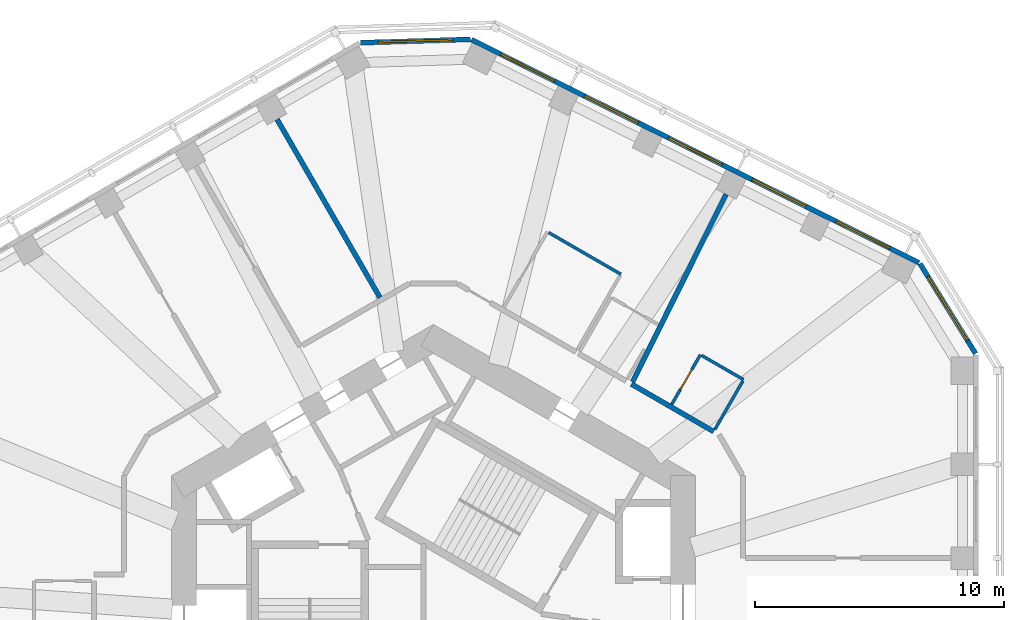
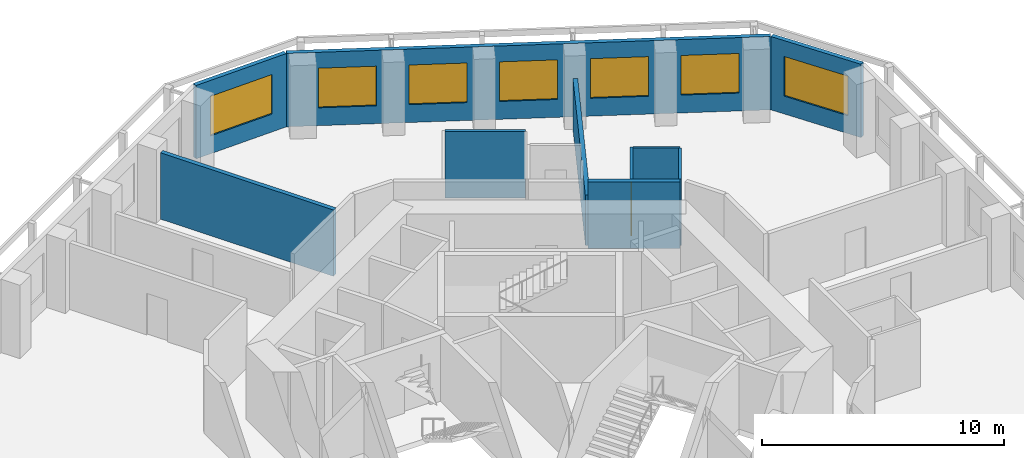
# One storey, part 8 of 11: 10 walls, 7 windows, 1 door, 8 openings.
"""IFC4 building model written with IfcOpenShell, lengths in metres."""

from ifc_helpers import new_model, si_unit, direction, frame, frame_2d, origin, place, context, subcontext, project, spatial, rectangle, extrude, material, layer, layer_set, type_object, element, fill, save


model = new_model("IFC4")

# Units and contexts
model_context = context("Model", 3, precision=1e-05, world=origin(), true_north=direction((0.0, 1.0)))
body_context = subcontext(model_context, "Body", "Model", "MODEL_VIEW")
ifc_project = project(units=[si_unit("LENGTHUNIT", "METRE"), si_unit("AREAUNIT", "SQUARE_METRE"), si_unit("VOLUMEUNIT", "CUBIC_METRE"), si_unit("PLANEANGLEUNIT", "RADIAN"), si_unit("MASSUNIT", "GRAM", prefix="KILO")], contexts=[model_context])

# Site, building, storey
site_placement = place(None, origin())
site = spatial("IfcSite", under=ifc_project, at=site_placement, CompositionType="ELEMENT")
building_placement = place(site_placement, origin())
building = spatial("IfcBuilding", under=site, at=building_placement, Name="Vanh Sen Convention Tower", CompositionType="ELEMENT")
storey_placement = place(building_placement, frame((0.0, 0.0, 202.10009765625)))
storey = spatial("IfcBuildingStorey", under=building, at=storey_placement, Name="L50", CompositionType="ELEMENT", Elevation=202.10009765625)

# Wall
ifc_material_1 = material(Name="Moisture-resistant gypsum board on steel studs", Category="steel")
ifc_layer_1 = layer(ifc_material_1, 0.1201171875)
ifc_layer_set_1 = layer_set([ifc_layer_1], Name="Moisture-resistant gypsum board on steel studs")
wall_type_1 = type_object("IfcWallType", Name="Bathroom partition 120", PredefinedType="PARTITIONING", material=ifc_layer_set_1)
wall_1_placement = place(storey_placement, frame((4.620849609375, 15.807373046875, 0.0), z_axis=(0.0, 0.0, 1.0), x_axis=(0.866039519639, -0.499975549825, 0.0)))
element("IfcWall", 1, at=wall_1_placement, inside=storey, type_object=wall_type_1, Name="Bathroom partition 120", PredefinedType="PARTITIONING", context=body_context, shape_type="SweptSolid", body=[
    extrude(rectangle(XDim=3.340087890625, YDim=0.1201171875, at=frame_2d((1.669921875, 0.0))), origin(), (0.0, 0.0, 1.0), 3.349853515625),
])

# Wall, opening, door
wall_2_placement = place(storey_placement, frame((9.551513671875, 8.919189453125, 0.0), z_axis=(0.0, 0.0, 1.0), x_axis=(0.499952165731, 0.866053019151, 0.0)))
wall_2 = element("IfcWall", 2, at=wall_2_placement, inside=storey, type_object=wall_type_1, Name="Bathroom partition 120", PredefinedType="PARTITIONING", context=body_context, shape_type="SweptSolid", body=[
    extrude(rectangle(XDim=2.300048828125, YDim=0.1201171875, at=frame_2d((1.14990234375, 0.0))), origin(), (0.0, 0.0, 1.0), 3.349853515625),
])
opening_1_placement = place(wall_2_placement, frame((0.699951171875, 0.0, 0.0)))
opening_1 = element("IfcOpeningElement", 3, at=opening_1_placement, cuts=wall_2, Name="Opening D49102", PredefinedType="OPENING", context=body_context, shape_type="SweptSolid", body=[
    extrude(rectangle(XDim=0.89990234375, YDim=2.10009765625, at=frame_2d((0.449951171875, 1.050048828125))), frame((0.0, 0.070068359375, 0.0), z_axis=(0.0, -1.0, 0.0), x_axis=(1.0, 0.0, 0.0)), (0.0, 0.0, 1.0), 0.14013671875),
])
ifc_material_2 = material(Name="Laminate door in steel frame", Category="steel")
door_type = type_object("IfcDoorType", Name="Room internal door 900", OperationType="SINGLE_SWING_LEFT", PredefinedType="DOOR", material=ifc_material_2)
door_placement = place(opening_1_placement, origin())
door = element("IfcDoor", 4, at=door_placement, inside=storey, type_object=door_type, Name="Internal room door D49102", OperationType="SINGLE_SWING_LEFT", OverallHeight=2.10009765625, OverallWidth=0.89990234375, PredefinedType="DOOR", context=body_context, shape_type="SweptSolid", body=[
    extrude(rectangle(XDim=0.89990234375, YDim=2.10009765625, at=frame_2d((0.449951171875, 1.050048828125))), frame((0.0, 0.02490234375, 0.0), z_axis=(0.0, -1.0, 0.0), x_axis=(1.0, 0.0, 0.0)), (0.0, 0.0, 1.0), 0.050048828125),
])
fill(opening_1, door)

# Walls
wall_3_placement = place(storey_placement, frame((10.75341796875, 10.881103515625, 0.0), z_axis=(0.0, 0.0, 1.0), x_axis=(0.866043088465, -0.499969367985, 0.0)))
element("IfcWall", 5, at=wall_3_placement, inside=storey, type_object=wall_type_1, Name="Bathroom partition 120", PredefinedType="PARTITIONING", context=body_context, shape_type="SweptSolid", body=[
    extrude(rectangle(XDim=1.93994140625, YDim=0.1201171875, at=frame_2d((0.969970703125, 0.0))), origin(), (0.0, 0.0, 1.0), 3.349853515625),
])
wall_4_placement = place(storey_placement, frame((12.403564453125, 9.859130859375, 0.0), z_axis=(0.0, 0.0, 1.0), x_axis=(-0.500030632641, -0.866007717299, 0.0)))
element("IfcWall", 6, at=wall_4_placement, inside=storey, type_object=wall_type_1, Name="Bathroom partition 120", PredefinedType="PARTITIONING", context=body_context, shape_type="SweptSolid", body=[
    extrude(rectangle(XDim=2.239990234375, YDim=0.1201171875, at=frame_2d((1.1201171875, 0.0))), origin(), (0.0, 0.0, 1.0), 3.349853515625),
])
ifc_material_3 = material(Name="Gypsum board on steel studs with mineral wool", Category="steel")
ifc_layer_2 = layer(ifc_material_3, 0.199951171875)
ifc_layer_set_2 = layer_set([ifc_layer_2], Name="Gypsum board on steel studs with mineral wool")
wall_type_2 = type_object("IfcWallType", Name="Corridor partition wall 200", PredefinedType="PARTITIONING", material=ifc_layer_set_2)
wall_5_placement = place(storey_placement, frame((11.2333984375, 7.83251953125, 0.0), z_axis=(0.0, 0.0, 1.0), x_axis=(-0.866002813504, 0.500039125473, 0.0)))
element("IfcWall", 7, at=wall_5_placement, inside=storey, type_object=wall_type_2, Name="Corridor partition wall 200", PredefinedType="PARTITIONING", context=body_context, shape_type="SweptSolid", body=[
    extrude(rectangle(XDim=3.803955078125, YDim=0.199951171875, at=frame_2d((1.90185546875, 0.0))), origin(), (0.0, 0.0, 1.0), 3.349853515625),
])

# Wall, opening, window
ifc_material_4 = material(Name="Insulated lightweight infill wall")
ifc_layer_3 = layer(ifc_material_4, 0.199951171875)
ifc_layer_set_3 = layer_set([ifc_layer_3], Name="Insulated lightweight infill wall")
wall_type_3 = type_object("IfcWallType", Name="External wall 200", PredefinedType="STANDARD", material=ifc_layer_set_3)
wall_6_placement = place(storey_placement, frame((21.735107421875, 10.9580078125, 0.0), z_axis=(0.0, 0.0, 1.0), x_axis=(-0.526213807775, 0.850352296702, 0.0)))
wall_6 = element("IfcWall", 8, at=wall_6_placement, inside=storey, type_object=wall_type_3, Name="External wall CH1 L50", PredefinedType="STANDARD", context=body_context, shape_type="SweptSolid", body=[
    extrude(rectangle(XDim=4.23828125, YDim=0.199951171875, at=frame_2d((2.119140625, 0.0))), origin(), (0.0, 0.0, 1.0), 3.699951171875),
])
opening_2_placement = place(wall_6_placement, frame((0.619140625, 0.0, 0.89990234375)))
opening_2 = element("IfcOpeningElement", 9, at=opening_2_placement, cuts=wall_6, Name="Opening WO2-CH11", PredefinedType="OPENING", context=body_context, shape_type="SweptSolid", body=[
    extrude(rectangle(XDim=3.0, YDim=2.0, at=frame_2d((1.5, 1.0))), frame((0.0, 0.10986328125, 0.0), z_axis=(0.0, -1.0, 0.0), x_axis=(1.0, 0.0, 0.0)), (0.0, 0.0, 1.0), 0.219970703125),
])
ifc_material_5 = material(Name="Aluminium frame with clear low-emissivity glass", Category="aluminium")
window_type_1 = type_object("IfcWindowType", Name="Office window 3000 x 2000", PartitioningType="SINGLE_PANEL", PredefinedType="WINDOW", material=ifc_material_5)
window_1_placement = place(opening_2_placement, origin())
window_1 = element("IfcWindow", 10, at=window_1_placement, inside=storey, type_object=window_type_1, Name="Window WO2-CH11", OverallHeight=2.0, OverallWidth=3.0, PartitioningType="SINGLE_PANEL", PredefinedType="WINDOW", context=body_context, shape_type="SweptSolid", body=[
    extrude(rectangle(XDim=3.0, YDim=2.0, at=frame_2d((1.5, 1.0))), frame((0.0, 0.030029296875, 0.0), z_axis=(0.0, -1.0, 0.0), x_axis=(1.0, 0.0, 0.0)), (0.0, 0.0, 1.0), 0.06005859375),
])
fill(opening_2, window_1)

# Wall, openings, windows
wall_7_placement = place(storey_placement, frame((19.46435546875, 14.598876953125, 0.0), z_axis=(0.0, 0.0, 1.0), x_axis=(-0.894935755043, 0.446195018289, 0.0)))
wall_7 = element("IfcWall", 11, at=wall_7_placement, inside=storey, type_object=wall_type_3, Name="External wall NE L50", PredefinedType="STANDARD", context=body_context, shape_type="SweptSolid", body=[
    extrude(rectangle(XDim=20.043701171875, YDim=0.199951171875, at=frame_2d((10.02197265625, 0.0))), origin(), (0.0, 0.0, 1.0), 3.699951171875),
])
opening_3_placement = place(wall_7_placement, frame((1.31298828125, 0.0, 0.89990234375)))
opening_3 = element("IfcOpeningElement", 12, at=opening_3_placement, cuts=wall_7, Name="Opening WO1-NE1", PredefinedType="OPENING", context=body_context, shape_type="SweptSolid", body=[
    extrude(rectangle(XDim=2.39990234375, YDim=2.0, at=frame_2d((1.199951171875, 1.0))), frame((0.0, 0.10986328125, 0.0), z_axis=(0.0, -1.0, 0.0), x_axis=(1.0, 0.0, 0.0)), (0.0, 0.0, 1.0), 0.219970703125),
])
opening_4_placement = place(wall_7_placement, frame((5.06689453125, 0.0, 0.89990234375)))
opening_4 = element("IfcOpeningElement", 13, at=opening_4_placement, cuts=wall_7, Name="Opening WO1-NE2", PredefinedType="OPENING", context=body_context, shape_type="SweptSolid", body=[
    extrude(rectangle(XDim=2.39990234375, YDim=2.0, at=frame_2d((1.199951171875, 1.0))), frame((0.0, 0.10986328125, 0.0), z_axis=(0.0, -1.0, 0.0), x_axis=(1.0, 0.0, 0.0)), (0.0, 0.0, 1.0), 0.219970703125),
])
opening_5_placement = place(wall_7_placement, frame((8.821044921875, 0.0, 0.89990234375)))
opening_5 = element("IfcOpeningElement", 14, at=opening_5_placement, cuts=wall_7, Name="Opening WO1-NE3", PredefinedType="OPENING", context=body_context, shape_type="SweptSolid", body=[
    extrude(rectangle(XDim=2.39990234375, YDim=2.0, at=frame_2d((1.199951171875, 1.0))), frame((0.0, 0.10986328125, 0.0), z_axis=(0.0, -1.0, 0.0), x_axis=(1.0, 0.0, 0.0)), (0.0, 0.0, 1.0), 0.219970703125),
])
opening_6_placement = place(wall_7_placement, frame((12.5751953125, 0.0, 0.89990234375)))
opening_6 = element("IfcOpeningElement", 15, at=opening_6_placement, cuts=wall_7, Name="Opening WO1-NE4", PredefinedType="OPENING", context=body_context, shape_type="SweptSolid", body=[
    extrude(rectangle(XDim=2.39990234375, YDim=2.0, at=frame_2d((1.199951171875, 1.0))), frame((0.0, 0.10986328125, 0.0), z_axis=(0.0, -1.0, 0.0), x_axis=(1.0, 0.0, 0.0)), (0.0, 0.0, 1.0), 0.219970703125),
])
opening_7_placement = place(wall_7_placement, frame((16.329345703125, 0.0, 0.89990234375)))
opening_7 = element("IfcOpeningElement", 16, at=opening_7_placement, cuts=wall_7, Name="Opening WO1-NE5", PredefinedType="OPENING", context=body_context, shape_type="SweptSolid", body=[
    extrude(rectangle(XDim=2.39990234375, YDim=2.0, at=frame_2d((1.199951171875, 1.0))), frame((0.0, 0.10986328125, 0.0), z_axis=(0.0, -1.0, 0.0), x_axis=(1.0, 0.0, 0.0)), (0.0, 0.0, 1.0), 0.219970703125),
])
window_type_2 = type_object("IfcWindowType", Name="Office window 2400 x 2000", PartitioningType="SINGLE_PANEL", PredefinedType="WINDOW", material=ifc_material_5)
window_2_placement = place(opening_3_placement, origin())
window_2 = element("IfcWindow", 17, at=window_2_placement, inside=storey, type_object=window_type_2, Name="Window WO1-NE1", OverallHeight=2.0, OverallWidth=2.39990234375, PartitioningType="SINGLE_PANEL", PredefinedType="WINDOW", context=body_context, shape_type="SweptSolid", body=[
    extrude(rectangle(XDim=2.39990234375, YDim=2.0, at=frame_2d((1.199951171875, 1.0))), frame((0.0, 0.030029296875, 0.0), z_axis=(0.0, -1.0, 0.0), x_axis=(1.0, 0.0, 0.0)), (0.0, 0.0, 1.0), 0.06005859375),
])
fill(opening_3, window_2)
window_3_placement = place(opening_4_placement, origin())
window_3 = element("IfcWindow", 18, at=window_3_placement, inside=storey, type_object=window_type_2, Name="Window WO1-NE2", OverallHeight=2.0, OverallWidth=2.39990234375, PartitioningType="SINGLE_PANEL", PredefinedType="WINDOW", context=body_context, shape_type="SweptSolid", body=[
    extrude(rectangle(XDim=2.39990234375, YDim=2.0, at=frame_2d((1.199951171875, 1.0))), frame((0.0, 0.030029296875, 0.0), z_axis=(0.0, -1.0, 0.0), x_axis=(1.0, 0.0, 0.0)), (0.0, 0.0, 1.0), 0.06005859375),
])
fill(opening_4, window_3)
window_4_placement = place(opening_5_placement, origin())
window_4 = element("IfcWindow", 19, at=window_4_placement, inside=storey, type_object=window_type_2, Name="Window WO1-NE3", OverallHeight=2.0, OverallWidth=2.39990234375, PartitioningType="SINGLE_PANEL", PredefinedType="WINDOW", context=body_context, shape_type="SweptSolid", body=[
    extrude(rectangle(XDim=2.39990234375, YDim=2.0, at=frame_2d((1.199951171875, 1.0))), frame((0.0, 0.030029296875, 0.0), z_axis=(0.0, -1.0, 0.0), x_axis=(1.0, 0.0, 0.0)), (0.0, 0.0, 1.0), 0.06005859375),
])
fill(opening_5, window_4)
window_5_placement = place(opening_6_placement, origin())
window_5 = element("IfcWindow", 20, at=window_5_placement, inside=storey, type_object=window_type_2, Name="Window WO1-NE4", OverallHeight=2.0, OverallWidth=2.39990234375, PartitioningType="SINGLE_PANEL", PredefinedType="WINDOW", context=body_context, shape_type="SweptSolid", body=[
    extrude(rectangle(XDim=2.39990234375, YDim=2.0, at=frame_2d((1.199951171875, 1.0))), frame((0.0, 0.030029296875, 0.0), z_axis=(0.0, -1.0, 0.0), x_axis=(1.0, 0.0, 0.0)), (0.0, 0.0, 1.0), 0.06005859375),
])
fill(opening_6, window_5)
window_6_placement = place(opening_7_placement, origin())
window_6 = element("IfcWindow", 21, at=window_6_placement, inside=storey, type_object=window_type_2, Name="Window WO1-NE5", OverallHeight=2.0, OverallWidth=2.39990234375, PartitioningType="SINGLE_PANEL", PredefinedType="WINDOW", context=body_context, shape_type="SweptSolid", body=[
    extrude(rectangle(XDim=2.39990234375, YDim=2.0, at=frame_2d((1.199951171875, 1.0))), frame((0.0, 0.030029296875, 0.0), z_axis=(0.0, -1.0, 0.0), x_axis=(1.0, 0.0, 0.0)), (0.0, 0.0, 1.0), 0.06005859375),
])
fill(opening_7, window_6)

# Wall, opening, window
wall_8_placement = place(storey_placement, frame((1.478759765625, 23.552734375, 0.0), z_axis=(0.0, 0.0, 1.0), x_axis=(-0.999534786117, -0.03049936625, 0.0)))
wall_8 = element("IfcWall", 22, at=wall_8_placement, inside=storey, type_object=wall_type_3, Name="External wall CH2 L50", PredefinedType="STANDARD", context=body_context, shape_type="SweptSolid", body=[
    extrude(rectangle(XDim=4.39453125, YDim=0.199951171875, at=frame_2d((2.197265625, 0.0))), origin(), (0.0, 0.0, 1.0), 3.699951171875),
])
opening_8_placement = place(wall_8_placement, frame((0.697509765625, 0.0, 0.89990234375)))
opening_8 = element("IfcOpeningElement", 23, at=opening_8_placement, cuts=wall_8, Name="Opening WO2-CH21", PredefinedType="OPENING", context=body_context, shape_type="SweptSolid", body=[
    extrude(rectangle(XDim=3.0, YDim=2.0, at=frame_2d((1.5, 1.0))), frame((0.0, 0.10986328125, 0.0), z_axis=(0.0, -1.0, 0.0), x_axis=(1.0, 0.0, 0.0)), (0.0, 0.0, 1.0), 0.219970703125),
])
window_7_placement = place(opening_8_placement, origin())
window_7 = element("IfcWindow", 24, at=window_7_placement, inside=storey, type_object=window_type_1, Name="Window WO2-CH21", OverallHeight=2.0, OverallWidth=3.0, PartitioningType="SINGLE_PANEL", PredefinedType="WINDOW", context=body_context, shape_type="SweptSolid", body=[
    extrude(rectangle(XDim=3.0, YDim=2.0, at=frame_2d((1.5, 1.0))), frame((0.0, 0.030029296875, 0.0), z_axis=(0.0, -1.0, 0.0), x_axis=(1.0, 0.0, 0.0)), (0.0, 0.0, 1.0), 0.06005859375),
])
fill(opening_8, window_7)

# Walls
ifc_layer_4 = layer(ifc_material_3, 0.199951171875)
ifc_layer_set_4 = layer_set([ifc_layer_4], Name="Gypsum board on steel studs with mineral wool")
wall_type_4 = type_object("IfcWallType", Name="Tenant suite wall 200", PredefinedType="PARTITIONING", material=ifc_layer_set_4)
wall_9_placement = place(storey_placement, frame((-6.26416015625, 20.343505859375, 0.0), z_axis=(0.0, 0.0, 1.0), x_axis=(0.499996545922, -0.866027397988, 0.0)))
element("IfcWall", 25, at=wall_9_placement, inside=storey, type_object=wall_type_4, Name="Tenant suite wall 200", PredefinedType="PARTITIONING", context=body_context, shape_type="SweptSolid", body=[
    extrude(rectangle(XDim=8.25, YDim=0.199951171875, at=frame_2d((4.125, 0.0))), origin(), (0.0, 0.0, 1.0), 3.349853515625),
])
wall_10_placement = place(storey_placement, frame((11.729736328125, 17.337890625, 0.0), z_axis=(0.0, 0.0, 1.0), x_axis=(-0.446189718314, -0.894938397473, 0.0)))
element("IfcWall", 26, at=wall_10_placement, inside=storey, type_object=wall_type_4, Name="Tenant suite wall 200", PredefinedType="PARTITIONING", context=body_context, shape_type="SweptSolid", body=[
    extrude(rectangle(XDim=8.395751953125, YDim=0.199951171875, at=frame_2d((4.19775390625, 0.0))), origin(), (0.0, 0.0, 1.0), 2.5498046875),
])

save(model, "model.ifc")
